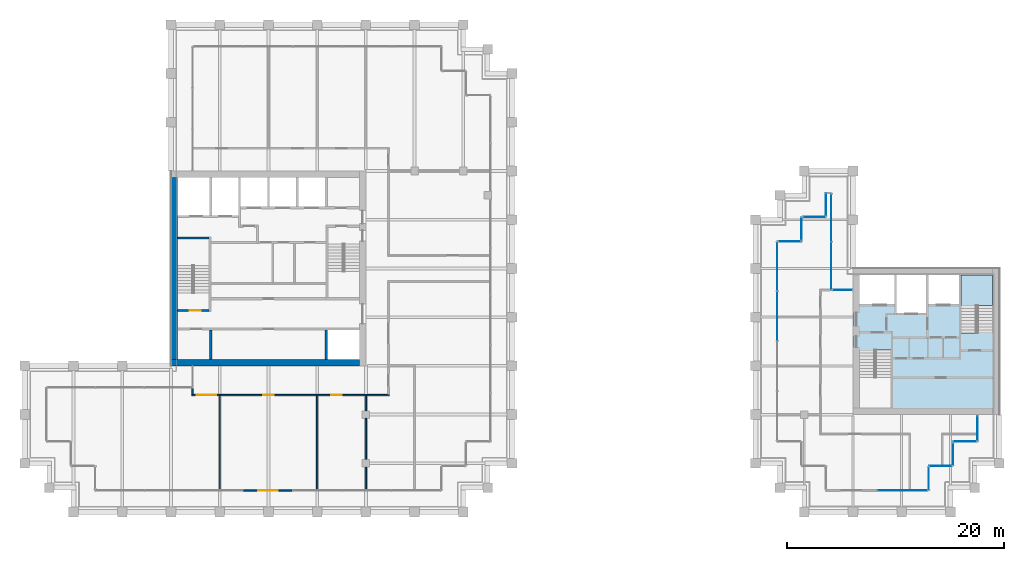
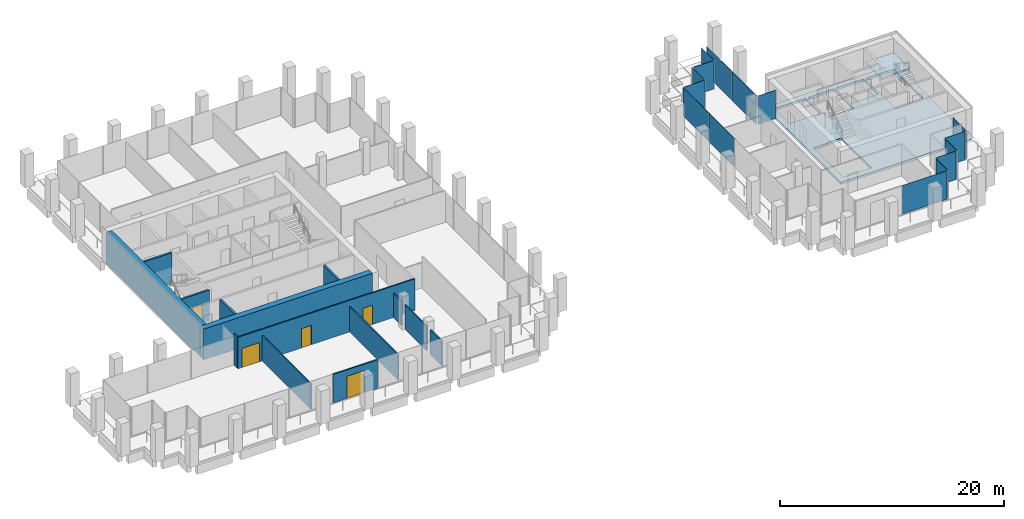
# One storey, part 35 of 40: 15 plates, 14 walls, 5 doors, 2 slabs, 5 openings, 14 elements without a shape of their own.
"""IFC4 building model written with IfcOpenShell, lengths in metres."""

from ifc_helpers import new_model, si_unit, direction, frame, frame_2d, origin, origin_2d, place, context, subcontext, project, spatial, polyline, rectangle, outline, extrude, material, layer, layer_set, type_object, element, fill, aggregate, save


model = new_model("IFC4")

# Units and contexts
model_context = context("Model", 3, precision=1e-05, world=origin(), true_north=direction((0.0, 1.0)))
body_context = subcontext(model_context, "Body", "Model", "MODEL_VIEW")
ifc_project = project(units=[si_unit("LENGTHUNIT", "METRE"), si_unit("AREAUNIT", "SQUARE_METRE"), si_unit("VOLUMEUNIT", "CUBIC_METRE"), si_unit("PLANEANGLEUNIT", "RADIAN"), si_unit("MASSUNIT", "GRAM", prefix="KILO")], contexts=[model_context])

# Site, building, storey
site_placement = place(None, origin())
site = spatial("IfcSite", under=ifc_project, at=site_placement, CompositionType="ELEMENT")
building_placement = place(site_placement, origin())
building = spatial("IfcBuilding", under=site, at=building_placement, Name="Altepetl Exchange Towers", CompositionType="ELEMENT")
storey_placement = place(building_placement, frame((0.0, 0.0, 172.60009765625)))
storey = spatial("IfcBuildingStorey", under=building, at=storey_placement, Name="L43", CompositionType="ELEMENT", Elevation=172.60009765625)

# Slab
ifc_material_1 = material(Name="Concrete C40/50", Category="concrete")
ifc_layer_1 = layer(ifc_material_1, 0.25)
ifc_layer_set_1 = layer_set([ifc_layer_1], Name="Concrete C40/50")
slab_type_1 = type_object("IfcSlabType", Name="Core floor slab 250", PredefinedType="FLOOR", material=ifc_layer_set_1)
slab_1_placement = place(storey_placement, frame((0.0, 0.0, -0.25)))
element("IfcSlab", 1, at=slab_1_placement, inside=storey, type_object=slab_type_1, Name="slab:B:L43:core0", PredefinedType="FLOOR", context=body_context, shape_type="SweptSolid", body=[
    extrude(outline(polyline([(103.5, 36.0), (117.0, 36.0), (117.0, 49.5), (103.5, 49.5), (103.5, 36.0)]), holes=[polyline([(107.0, 36.60009765625), (104.10009765625, 36.60009765625), (104.10009765625, 41.85009765625), (105.5, 41.85009765625), (105.5, 41.948974609375), (107.0, 41.948974609375), (107.0, 36.60009765625)]), polyline([(113.5, 48.89990234375), (116.39990234375, 48.89990234375), (116.39990234375, 43.64990234375), (115.0, 43.64990234375), (115.0, 43.551025390625), (113.5, 43.551025390625), (113.5, 48.89990234375)]), polyline([(107.532958984375, 45.39990234375), (107.532958984375, 48.89990234375), (110.26708984375, 48.89990234375), (110.26708984375, 45.39990234375), (107.532958984375, 45.39990234375)]), polyline([(104.10009765625, 48.89990234375), (107.3330078125, 48.89990234375), (107.3330078125, 46.199951171875), (104.10009765625, 46.199951171875), (104.10009765625, 48.89990234375)]), polyline([(110.467041015625, 48.89990234375), (113.300048828125, 48.89990234375), (113.300048828125, 46.199951171875), (110.467041015625, 46.199951171875), (110.467041015625, 48.89990234375)])]), origin(), (0.0, 0.0, 1.0), 0.25),
])

# Curtain wall, plate
ifc_material_2 = material(Name="Aluminium 6063-T6 glazing", Category="aluminium")
curtain_wall_type = type_object("IfcCurtainWallType", Name="Loggia glazing system", PredefinedType="NOTDEFINED", material=ifc_material_2)
curtain_wall_1_placement = place(storey_placement, origin())
curtain_wall_1 = element("IfcCurtainWall", 2, at=curtain_wall_1_placement, inside=storey, type_object=curtain_wall_type, Name="CW1 run", PredefinedType="NOTDEFINED")
ifc_material_3 = material(Name="Glass 6-16-6 low emissivity", Category="glass")
ifc_layer_2 = layer(ifc_material_3, 0.028076171875)
ifc_layer_set_2 = layer_set([ifc_layer_2], Name="Glass 6-16-6 low emissivity")
plate_type = type_object("IfcPlateType", Name="Glass panel 28 double glazed", PredefinedType="CURTAIN_PANEL", material=ifc_layer_set_2)
plate_1_placement = place(storey_placement, frame((108.06884765625, 29.0, -0.000244140625)))
plate_1 = element("IfcPlate", 3, at=plate_1_placement, type_object=plate_type, Name="GP1 panel", PredefinedType="CURTAIN_PANEL", context=body_context, shape_type="SweptSolid", body=[
    extrude(rectangle(XDim=4.592529296875, YDim=0.028076171875, at=origin_2d()), origin(), (0.0, 0.0, 1.0), 3.10009765625),
])
aggregate(curtain_wall_1, [plate_1])

curtain_wall_2_placement = place(storey_placement, origin())
curtain_wall_2 = element("IfcCurtainWall", 4, at=curtain_wall_2_placement, inside=storey, type_object=curtain_wall_type, Name="CW1 run", PredefinedType="NOTDEFINED")
plate_2_placement = place(storey_placement, frame((110.5, 30.08740234375, -0.000244140625), z_axis=(0.0, 0.0, 1.0), x_axis=(0.0, 1.0, 0.0)))
plate_2 = element("IfcPlate", 5, at=plate_2_placement, type_object=plate_type, Name="GP1 panel", PredefinedType="CURTAIN_PANEL", context=body_context, shape_type="SweptSolid", body=[
    extrude(rectangle(XDim=2.054931640625, YDim=0.028076171875, at=origin_2d()), origin(), (0.0, 0.0, 1.0), 3.10009765625),
])
aggregate(curtain_wall_2, [plate_2])

curtain_wall_3_placement = place(storey_placement, origin())
curtain_wall_3 = element("IfcCurtainWall", 6, at=curtain_wall_3_placement, inside=storey, type_object=curtain_wall_type, Name="CW1 run", PredefinedType="NOTDEFINED")
plate_3_placement = place(storey_placement, frame((111.58740234375, 31.25, -0.000244140625)))
plate_3 = element("IfcPlate", 7, at=plate_3_placement, type_object=plate_type, Name="GP1 panel", PredefinedType="CURTAIN_PANEL", context=body_context, shape_type="SweptSolid", body=[
    extrude(rectangle(XDim=2.054931640625, YDim=0.028076171875, at=origin_2d()), origin(), (0.0, 0.0, 1.0), 3.10009765625),
])
aggregate(curtain_wall_3, [plate_3])

curtain_wall_4_placement = place(storey_placement, origin())
curtain_wall_4 = element("IfcCurtainWall", 8, at=curtain_wall_4_placement, inside=storey, type_object=curtain_wall_type, Name="CW1 run", PredefinedType="NOTDEFINED")
plate_4_placement = place(storey_placement, frame((112.75, 32.33740234375, -0.000244140625), z_axis=(0.0, 0.0, 1.0), x_axis=(0.0, 1.0, 0.0)))
plate_4 = element("IfcPlate", 9, at=plate_4_placement, type_object=plate_type, Name="GP1 panel", PredefinedType="CURTAIN_PANEL", context=body_context, shape_type="SweptSolid", body=[
    extrude(rectangle(XDim=2.054931640625, YDim=0.028076171875, at=origin_2d()), origin(), (0.0, 0.0, 1.0), 3.10009765625),
])
aggregate(curtain_wall_4, [plate_4])

curtain_wall_5_placement = place(storey_placement, origin())
curtain_wall_5 = element("IfcCurtainWall", 10, at=curtain_wall_5_placement, inside=storey, type_object=curtain_wall_type, Name="CW1 run", PredefinedType="NOTDEFINED")
plate_5_placement = place(storey_placement, frame((113.83740234375, 33.5, -0.000244140625)))
plate_5 = element("IfcPlate", 11, at=plate_5_placement, type_object=plate_type, Name="GP1 panel", PredefinedType="CURTAIN_PANEL", context=body_context, shape_type="SweptSolid", body=[
    extrude(rectangle(XDim=2.054931640625, YDim=0.028076171875, at=origin_2d()), origin(), (0.0, 0.0, 1.0), 3.10009765625),
])
aggregate(curtain_wall_5, [plate_5])

curtain_wall_6_placement = place(storey_placement, origin())
curtain_wall_6 = element("IfcCurtainWall", 12, at=curtain_wall_6_placement, inside=storey, type_object=curtain_wall_type, Name="CW1 run", PredefinedType="NOTDEFINED")
plate_6_placement = place(storey_placement, frame((115.0, 34.71240234375, -0.000244140625), z_axis=(0.0, 0.0, 1.0), x_axis=(0.0, 1.0, 0.0)))
plate_6 = element("IfcPlate", 13, at=plate_6_placement, type_object=plate_type, Name="GP1 panel", PredefinedType="CURTAIN_PANEL", context=body_context, shape_type="SweptSolid", body=[
    extrude(rectangle(XDim=2.304931640625, YDim=0.028076171875, at=origin_2d()), origin(), (0.0, 0.0, 1.0), 3.10009765625),
])
aggregate(curtain_wall_6, [plate_6])

curtain_wall_7_placement = place(storey_placement, origin())
curtain_wall_7 = element("IfcCurtainWall", 14, at=curtain_wall_7_placement, inside=storey, type_object=curtain_wall_type, Name="CW1 run", PredefinedType="NOTDEFINED")
plate_7_placement = place(storey_placement, frame((102.53759765625, 47.5, -0.000244140625), z_axis=(0.0, 0.0, 1.0), x_axis=(-1.0, 0.0, 0.0)))
plate_7 = element("IfcPlate", 15, at=plate_7_placement, type_object=plate_type, Name="GP1 panel", PredefinedType="CURTAIN_PANEL", context=body_context, shape_type="SweptSolid", body=[
    extrude(rectangle(XDim=1.804931640625, YDim=0.028076171875, at=origin_2d()), origin(), (0.0, 0.0, 1.0), 3.10009765625),
])
aggregate(curtain_wall_7, [plate_7])

# Curtain wall, plates
curtain_wall_8_placement = place(storey_placement, origin())
curtain_wall_8 = element("IfcCurtainWall", 16, at=curtain_wall_8_placement, inside=storey, type_object=curtain_wall_type, Name="CW1 run", PredefinedType="NOTDEFINED")
plate_8_placement = place(storey_placement, frame((101.5, 49.746337890625, -0.000244140625), z_axis=(0.0, 0.0, 1.0), x_axis=(0.0, 1.0, 0.0)))
plate_8 = element("IfcPlate", 17, at=plate_8_placement, type_object=plate_type, Name="GP1 panel", PredefinedType="CURTAIN_PANEL", context=body_context, shape_type="SweptSolid", body=[
    extrude(rectangle(XDim=4.37255859375, YDim=0.028076171875, at=origin_2d()), origin(), (0.0, 0.0, 1.0), 3.10009765625),
])
plate_9_placement = place(storey_placement, frame((101.5, 54.1787109375, -0.000244140625), z_axis=(0.0, 0.0, 1.0), x_axis=(0.0, 1.0, 0.0)))
plate_9 = element("IfcPlate", 18, at=plate_9_placement, type_object=plate_type, Name="GP1 panel", PredefinedType="CURTAIN_PANEL", context=body_context, shape_type="SweptSolid", body=[
    extrude(rectangle(XDim=4.37255859375, YDim=0.028076171875, at=origin_2d()), origin(), (0.0, 0.0, 1.0), 3.10009765625),
])
aggregate(curtain_wall_8, [plate_8, plate_9])

# Curtain wall, plate
curtain_wall_9_placement = place(storey_placement, origin())
curtain_wall_9 = element("IfcCurtainWall", 19, at=curtain_wall_9_placement, inside=storey, type_object=curtain_wall_type, Name="CW1 run", PredefinedType="NOTDEFINED")
plate_10_placement = place(storey_placement, frame((101.0, 55.41259765625, -0.000244140625), z_axis=(0.0, 0.0, 1.0), x_axis=(0.0, -1.0, 0.0)))
plate_10 = element("IfcPlate", 20, at=plate_10_placement, type_object=plate_type, Name="GP1 panel", PredefinedType="CURTAIN_PANEL", context=body_context, shape_type="SweptSolid", body=[
    extrude(rectangle(XDim=2.054931640625, YDim=0.028076171875, at=origin_2d()), origin(), (0.0, 0.0, 1.0), 3.10009765625),
])
aggregate(curtain_wall_9, [plate_10])

curtain_wall_10_placement = place(storey_placement, origin())
curtain_wall_10 = element("IfcCurtainWall", 21, at=curtain_wall_10_placement, inside=storey, type_object=curtain_wall_type, Name="CW1 run", PredefinedType="NOTDEFINED")
plate_11_placement = place(storey_placement, frame((99.91259765625, 54.25, -0.000244140625), z_axis=(0.0, 0.0, 1.0), x_axis=(-1.0, 0.0, 0.0)))
plate_11 = element("IfcPlate", 22, at=plate_11_placement, type_object=plate_type, Name="GP1 panel", PredefinedType="CURTAIN_PANEL", context=body_context, shape_type="SweptSolid", body=[
    extrude(rectangle(XDim=2.054931640625, YDim=0.028076171875, at=origin_2d()), origin(), (0.0, 0.0, 1.0), 3.10009765625),
])
aggregate(curtain_wall_10, [plate_11])

curtain_wall_11_placement = place(storey_placement, origin())
curtain_wall_11 = element("IfcCurtainWall", 23, at=curtain_wall_11_placement, inside=storey, type_object=curtain_wall_type, Name="CW1 run", PredefinedType="NOTDEFINED")
plate_12_placement = place(storey_placement, frame((98.75, 53.16259765625, -0.000244140625), z_axis=(0.0, 0.0, 1.0), x_axis=(0.0, -1.0, 0.0)))
plate_12 = element("IfcPlate", 24, at=plate_12_placement, type_object=plate_type, Name="GP1 panel", PredefinedType="CURTAIN_PANEL", context=body_context, shape_type="SweptSolid", body=[
    extrude(rectangle(XDim=2.054931640625, YDim=0.028076171875, at=origin_2d()), origin(), (0.0, 0.0, 1.0), 3.10009765625),
])
aggregate(curtain_wall_11, [plate_12])

curtain_wall_12_placement = place(storey_placement, origin())
curtain_wall_12 = element("IfcCurtainWall", 25, at=curtain_wall_12_placement, inside=storey, type_object=curtain_wall_type, Name="CW1 run", PredefinedType="NOTDEFINED")
plate_13_placement = place(storey_placement, frame((97.66259765625, 52.0, -0.000244140625), z_axis=(0.0, 0.0, 1.0), x_axis=(-1.0, 0.0, 0.0)))
plate_13 = element("IfcPlate", 26, at=plate_13_placement, type_object=plate_type, Name="GP1 panel", PredefinedType="CURTAIN_PANEL", context=body_context, shape_type="SweptSolid", body=[
    extrude(rectangle(XDim=2.054931640625, YDim=0.028076171875, at=origin_2d()), origin(), (0.0, 0.0, 1.0), 3.10009765625),
])
aggregate(curtain_wall_12, [plate_13])

# Curtain wall, plates
curtain_wall_13_placement = place(storey_placement, origin())
curtain_wall_13 = element("IfcCurtainWall", 27, at=curtain_wall_13_placement, inside=storey, type_object=curtain_wall_type, Name="CW1 run", PredefinedType="NOTDEFINED")
plate_14_placement = place(storey_placement, frame((96.5, 49.681884765625, -0.000244140625), z_axis=(0.0, 0.0, 1.0), x_axis=(0.0, -1.0, 0.0)))
plate_14 = element("IfcPlate", 28, at=plate_14_placement, type_object=plate_type, Name="GP1 panel", PredefinedType="CURTAIN_PANEL", context=body_context, shape_type="SweptSolid", body=[
    extrude(rectangle(XDim=4.516357421875, YDim=0.028076171875, at=origin_2d()), origin(), (0.0, 0.0, 1.0), 3.10009765625),
])
plate_15_placement = place(storey_placement, frame((96.5, 45.090576171875, -0.000244140625), z_axis=(0.0, 0.0, 1.0), x_axis=(0.0, -1.0, 0.0)))
plate_15 = element("IfcPlate", 29, at=plate_15_placement, type_object=plate_type, Name="GP1 panel", PredefinedType="CURTAIN_PANEL", context=body_context, shape_type="SweptSolid", body=[
    extrude(rectangle(XDim=4.546142578125, YDim=0.028076171875, at=origin_2d()), origin(), (0.0, 0.0, 1.0), 3.10009765625),
])
aggregate(curtain_wall_13, [plate_14, plate_15])

# Stair, slab
stair_type = type_object("IfcStairType", Name="Exit stair 1400 flights dogleg", PredefinedType="HALF_TURN_STAIR", material=ifc_material_1)
stair_placement = place(storey_placement, origin())
stair = element("IfcStair", 30, at=stair_placement, inside=storey, type_object=stair_type, Name="Exit stair 2", PredefinedType="HALF_TURN_STAIR")
ifc_layer_3 = layer(ifc_material_1, 0.199951171875)
ifc_layer_set_3 = layer_set([ifc_layer_3], Name="Concrete C40/50")
slab_type_2 = type_object("IfcSlabType", Name="Stair landing 200 reinforced concrete", PredefinedType="LANDING", material=ifc_layer_set_3)
slab_2_placement = place(storey_placement, frame((0.0, 0.0, 1.599853515625)))
slab_2 = element("IfcSlab", 31, at=slab_2_placement, type_object=slab_type_2, Name="ST-B2e landing 1", PredefinedType="LANDING", context=body_context, shape_type="SweptSolid", body=[
    extrude(outline(polyline([(114.89990234375, 45.969970703125), (113.5, 45.969970703125), (113.5, 46.070068359375), (113.5, 48.89990234375), (116.39990234375, 48.89990234375), (116.39990234375, 46.070068359375), (116.39990234375, 46.0693359375), (115.0, 46.0693359375), (115.0, 46.070068359375), (114.89990234375, 46.070068359375), (114.89990234375, 45.969970703125)])), origin(), (0.0, 0.0, 1.0), 0.199951171875),
])
aggregate(stair, [slab_2])

# Walls
ifc_material_4 = material(Name="Concrete C70/85", Category="concrete")
ifc_layer_4 = layer(ifc_material_4, 0.60009765625)
ifc_layer_set_4 = layer_set([ifc_layer_4], Name="Concrete C70/85")
wall_type_1 = type_object("IfcWallType", Name="Core wall 600 reinforced concrete", PredefinedType="SHEAR", material=ifc_layer_set_4)
wall_1_placement = place(storey_placement, frame((40.5, 40.800048828125, 0.0)))
element("IfcWall", 32, at=wall_1_placement, inside=storey, type_object=wall_type_1, Name="wall:A:L43:K-coreS", PredefinedType="SHEAR", context=body_context, shape_type="SweptSolid", body=[
    extrude(rectangle(XDim=17.39990234375, YDim=0.60009765625, at=frame_2d((8.699951171875, 0.0))), origin(), (0.0, 0.0, 1.0), 3.349853515625),
])
ifc_layer_5 = layer(ifc_material_4, 0.60009765625)
ifc_layer_set_5 = layer_set([ifc_layer_5], Name="Concrete C70/85")
wall_type_2 = type_object("IfcWallType", Name="Core wall 600 reinforced concrete external", PredefinedType="SHEAR", material=ifc_layer_set_5)
wall_2_placement = place(storey_placement, frame((40.800048828125, 41.10009765625, 0.0), z_axis=(0.0, 0.0, 1.0), x_axis=(0.0, 1.0, 0.0)))
element("IfcWall", 33, at=wall_2_placement, inside=storey, type_object=wall_type_2, Name="wall:A:L43:K-coreW", PredefinedType="SHEAR", context=body_context, shape_type="SweptSolid", body=[
    extrude(rectangle(XDim=16.7998046875, YDim=0.60009765625, at=frame_2d((8.39990234375, 0.0))), origin(), (0.0, 0.0, 1.0), 3.349853515625),
])

# Wall, opening, door
ifc_material_5 = material(Name="Aluminium composite cladding", Category="aluminium")
ifc_layer_6 = layer(ifc_material_5, 0.14990234375)
ifc_layer_set_6 = layer_set([ifc_layer_6], Name="Aluminium composite cladding")
wall_type_3 = type_object("IfcWallType", Name="Infill wall 150 aluminium panel", PredefinedType="SOLIDWALL", material=ifc_layer_set_6)
wall_3_placement = place(storey_placement, frame((47.18212890625, 29.0, 0.0)))
wall_3 = element("IfcWall", 34, at=wall_3_placement, inside=storey, type_object=wall_type_3, Name="Loggia door bay wall", PredefinedType="SOLIDWALL", context=body_context, shape_type="SweptSolid", body=[
    extrude(rectangle(XDim=4.560791015625, YDim=0.14990234375, at=frame_2d((2.2802734375, 0.0))), origin(), (0.0, 0.0, 1.0), 3.099853515625),
])
opening_1_placement = place(wall_3_placement, frame((1.38037109375, 0.0, 0.0)))
opening_1 = element("IfcOpeningElement", 35, at=opening_1_placement, cuts=wall_3, Name="Opening L43.A90", PredefinedType="OPENING", context=body_context, shape_type="SweptSolid", body=[
    extrude(rectangle(XDim=1.800048828125, YDim=2.39990234375, at=frame_2d((0.89990234375, 1.199951171875))), frame((0.0, 0.0849609375, 0.0), z_axis=(0.0, -1.0, 0.0), x_axis=(1.0, 0.0, 0.0)), (0.0, 0.0, 1.0), 0.169921875),
])
ifc_material_6 = material(Name="Aluminium 6063-T6 and glass", Category="aluminium")
door_type_1 = type_object("IfcDoorType", Name="Glazed door pair 1800x2400", OperationType="DOUBLE_DOOR_DOUBLE_SWING", PredefinedType="NOTDEFINED", material=ifc_material_6)
door_1_placement = place(opening_1_placement, frame((1.800048828125, 0.0, 0.0), x_axis=(-1.0, 0.0, 0.0)))
door_1 = element("IfcDoor", 36, at=door_1_placement, inside=storey, type_object=door_type_1, Name="Loggia door", OperationType="DOUBLE_DOOR_DOUBLE_SWING", OverallHeight=2.39990234375, OverallWidth=1.800048828125, PredefinedType="NOTDEFINED", context=body_context, shape_type="SweptSolid", body=[
    extrude(rectangle(XDim=1.800048828125, YDim=2.39990234375, at=frame_2d((0.89990234375, 1.199951171875))), frame((0.0, 0.02490234375, 0.0), z_axis=(0.0, -1.0, 0.0), x_axis=(1.0, 0.0, 0.0)), (0.0, 0.0, 1.0), 0.050048828125),
])
fill(opening_1, door_1)

# Wall, openings, doors
ifc_material_7 = material(Name="Gypsum board on steel studs", Category="steel")
ifc_layer_7 = layer(ifc_material_7, 0.125)
ifc_layer_set_7 = layer_set([ifc_layer_7], Name="Gypsum board on steel studs")
wall_type_4 = type_object("IfcWallType", Name="Partition 125 gypsum board on steel studs", PredefinedType="PARTITIONING", material=ifc_layer_set_7)
wall_4_placement = place(storey_placement, frame((42.4375, 37.800048828125, 0.0)))
wall_4 = element("IfcWall", 37, at=wall_4_placement, inside=storey, type_object=wall_type_4, Name="wall:A:L43:P01", PredefinedType="PARTITIONING", context=body_context, shape_type="SweptSolid", body=[
    extrude(rectangle(XDim=18.22509765625, YDim=0.125, at=frame_2d((9.112548828125, 0.0))), origin(), (0.0, 0.0, 1.0), 3.449951171875),
])
opening_2_placement = place(wall_4_placement, frame((6.5625, 0.0, 0.0)))
opening_2 = element("IfcOpeningElement", 38, at=opening_2_placement, cuts=wall_4, Name="Opening L43.A01", PredefinedType="OPENING", context=body_context, shape_type="SweptSolid", body=[
    extrude(rectangle(XDim=1.0, YDim=2.10009765625, at=frame_2d((0.5, 1.050048828125))), frame((0.0, 0.072509765625, 0.0), z_axis=(0.0, -1.0, 0.0), x_axis=(1.0, 0.0, 0.0)), (0.0, 0.0, 1.0), 0.14501953125),
])
opening_3_placement = place(wall_4_placement, frame((12.857421875, 0.0, 0.0)))
opening_3 = element("IfcOpeningElement", 39, at=opening_3_placement, cuts=wall_4, Name="Opening L43.A02", PredefinedType="OPENING", context=body_context, shape_type="SweptSolid", body=[
    extrude(rectangle(XDim=1.0, YDim=2.10009765625, at=frame_2d((0.5, 1.050048828125))), frame((0.0, 0.072509765625, 0.0), z_axis=(0.0, -1.0, 0.0), x_axis=(1.0, 0.0, 0.0)), (0.0, 0.0, 1.0), 0.14501953125),
])
opening_4_placement = place(wall_4_placement, frame((0.429443359375, 0.0, 0.0)))
opening_4 = element("IfcOpeningElement", 40, at=opening_4_placement, cuts=wall_4, Name="Opening L43.A03", PredefinedType="OPENING", context=body_context, shape_type="SweptSolid", body=[
    extrude(rectangle(XDim=1.800048828125, YDim=2.10009765625, at=frame_2d((0.89990234375, 1.050048828125))), frame((0.0, 0.072509765625, 0.0), z_axis=(0.0, -1.0, 0.0), x_axis=(1.0, 0.0, 0.0)), (0.0, 0.0, 1.0), 0.14501953125),
])
ifc_material_8 = material(Name="Steel and timber fire door", Category="steel")
door_type_2 = type_object("IfcDoorType", Name="Fire door 1000 x 2100 single leaf", OperationType="SINGLE_SWING_LEFT", PredefinedType="DOOR", material=ifc_material_8)
door_2_placement = place(opening_2_placement, frame((1.0, 0.0, 0.0), x_axis=(-1.0, 0.0, 0.0)))
door_2 = element("IfcDoor", 41, at=door_2_placement, inside=storey, type_object=door_type_2, Name="door:A:L43:01", OperationType="SINGLE_SWING_LEFT", OverallHeight=2.10009765625, OverallWidth=1.0, PredefinedType="DOOR", context=body_context, shape_type="SweptSolid", body=[
    extrude(rectangle(XDim=1.0, YDim=2.10009765625, at=frame_2d((0.5, 1.050048828125))), frame((0.0, 0.02490234375, 0.0), z_axis=(0.0, -1.0, 0.0), x_axis=(1.0, 0.0, 0.0)), (0.0, 0.0, 1.0), 0.050048828125),
])
fill(opening_2, door_2)
door_3_placement = place(opening_3_placement, frame((1.0, 0.0, 0.0), x_axis=(-1.0, 0.0, 0.0)))
door_3 = element("IfcDoor", 42, at=door_3_placement, inside=storey, type_object=door_type_2, Name="door:A:L43:02", OperationType="SINGLE_SWING_RIGHT", OverallHeight=2.10009765625, OverallWidth=1.0, PredefinedType="DOOR", context=body_context, shape_type="SweptSolid", body=[
    extrude(rectangle(XDim=1.0, YDim=2.10009765625, at=frame_2d((0.5, 1.050048828125))), frame((0.0, 0.02490234375, 0.0), z_axis=(0.0, -1.0, 0.0), x_axis=(1.0, 0.0, 0.0)), (0.0, 0.0, 1.0), 0.050048828125),
])
fill(opening_3, door_3)
door_type_3 = type_object("IfcDoorType", Name="Fire door 1800 x 2100 double leaf", OperationType="DOUBLE_DOOR_SINGLE_SWING", PredefinedType="DOOR", material=ifc_material_8)
door_4_placement = place(opening_4_placement, frame((1.800048828125, 0.0, 0.0), x_axis=(-1.0, 0.0, 0.0)))
door_4 = element("IfcDoor", 43, at=door_4_placement, inside=storey, type_object=door_type_3, Name="door:A:L43:03", OperationType="DOUBLE_DOOR_SINGLE_SWING", OverallHeight=2.10009765625, OverallWidth=1.800048828125, PredefinedType="DOOR", context=body_context, shape_type="SweptSolid", body=[
    extrude(rectangle(XDim=1.800048828125, YDim=2.10009765625, at=frame_2d((0.89990234375, 1.050048828125))), frame((0.0, 0.02490234375, 0.0), z_axis=(0.0, -1.0, 0.0), x_axis=(1.0, 0.0, 0.0)), (0.0, 0.0, 1.0), 0.050048828125),
])
fill(opening_4, door_4)

# Walls
wall_5_placement = place(storey_placement, frame((42.5, 37.862548828125, 0.0), z_axis=(0.0, 0.0, 1.0), x_axis=(0.0, 1.0, 0.0)))
element("IfcWall", 44, at=wall_5_placement, inside=storey, type_object=wall_type_4, Name="wall:A:L43:P09", PredefinedType="PARTITIONING", context=body_context, shape_type="SweptSolid", body=[
    extrude(rectangle(XDim=0.537353515625, YDim=0.125, at=frame_2d((0.2685546875, 0.0))), origin(), (0.0, 0.0, 1.0), 3.449951171875),
])
for number, where, z_axis, x_axis, name in (
    (45, (45.0, 29.10009765625, 0.0), (0.0, 0.0, 1.0), (0.0, 1.0, 0.0), "wall:A:L43:P10"),
    (46, (54.0, 29.10009765625, 0.0), (0.0, 0.0, 1.0), (0.0, 1.0, 0.0), "wall:A:L43:P12"),
):
    element("IfcWall", number, at=place(storey_placement, frame(where, z_axis=z_axis, x_axis=x_axis)), inside=storey, type_object=wall_type_4, Name=name, PredefinedType="PARTITIONING", context=body_context, shape_type="SweptSolid", body=[
        extrude(rectangle(XDim=8.699951171875, YDim=0.125, at=frame_2d((4.35009765625, 0.0))), origin(), (0.0, 0.0, 1.0), 2.765869140625),
    ])
wall_6_placement = place(storey_placement, frame((58.5, 29.10009765625, 0.0), z_axis=(0.0, 0.0, 1.0), x_axis=(0.0, 1.0, 0.0)))
element("IfcWall", 47, at=wall_6_placement, inside=storey, type_object=wall_type_4, Name="wall:A:L43:P14", PredefinedType="PARTITIONING", context=body_context, shape_type="SweptSolid", body=[
    extrude(rectangle(XDim=2.0498046875, YDim=0.125, at=frame_2d((1.02490234375, 0.0))), origin(), (0.0, 0.0, 1.0), 2.67578125),
])
wall_7_placement = place(storey_placement, frame((58.5, 31.85009765625, 0.0), z_axis=(0.0, 0.0, 1.0), x_axis=(0.0, 1.0, 0.0)))
element("IfcWall", 48, at=wall_7_placement, inside=storey, type_object=wall_type_4, Name="wall:A:L43:P15", PredefinedType="PARTITIONING", context=body_context, shape_type="SweptSolid", body=[
    extrude(rectangle(XDim=3.7998046875, YDim=0.125, at=frame_2d((1.89990234375, 0.0))), origin(), (0.0, 0.0, 1.0), 2.67578125),
])
wall_8_placement = place(storey_placement, frame((58.5, 36.35009765625, 0.0), z_axis=(0.0, 0.0, 1.0), x_axis=(0.0, 1.0, 0.0)))
element("IfcWall", 49, at=wall_8_placement, inside=storey, type_object=wall_type_4, Name="wall:A:L43:P16", PredefinedType="PARTITIONING", context=body_context, shape_type="SweptSolid", body=[
    extrude(rectangle(XDim=1.449951171875, YDim=0.125, at=frame_2d((0.72509765625, 0.0))), origin(), (0.0, 0.0, 1.0), 2.67578125),
])
ifc_layer_8 = layer(ifc_material_1, 0.199951171875)
ifc_layer_set_8 = layer_set([ifc_layer_8], Name="Concrete C40/50")
wall_type_5 = type_object("IfcWallType", Name="Shaft wall 200 reinforced concrete", PredefinedType="SHEAR", material=ifc_layer_set_8)
wall_9_placement = place(storey_placement, frame((54.833251953125, 41.10009765625, 0.0), z_axis=(0.0, 0.0, 1.0), x_axis=(0.0, 1.0, 0.0)))
element("IfcWall", 50, at=wall_9_placement, inside=storey, type_object=wall_type_5, Name="wall:A:L43:K-divS5", PredefinedType="SHEAR", context=body_context, shape_type="SweptSolid", body=[
    extrude(rectangle(XDim=2.699951171875, YDim=0.199951171875, at=frame_2d((1.35009765625, 0.0))), origin(), (0.0, 0.0, 1.0), 3.349853515625),
])
ifc_layer_9 = layer(ifc_material_4, 0.199951171875)
ifc_layer_set_9 = layer_set([ifc_layer_9], Name="Concrete C70/85")
wall_type_6 = type_object("IfcWallType", Name="Shear wall 200 reinforced concrete", PredefinedType="SHEAR", material=ifc_layer_set_9)
wall_10_placement = place(storey_placement, frame((44.166748046875, 41.10009765625, 0.0), z_axis=(0.0, 0.0, 1.0), x_axis=(0.0, 1.0, 0.0)))
element("IfcWall", 51, at=wall_10_placement, inside=storey, type_object=wall_type_6, Name="wall:A:L43:K-divS1", PredefinedType="SHEAR", context=body_context, shape_type="SweptSolid", body=[
    extrude(rectangle(XDim=2.699951171875, YDim=0.199951171875, at=frame_2d((1.35009765625, 0.0))), origin(), (0.0, 0.0, 1.0), 3.349853515625),
])
ifc_layer_10 = layer(ifc_material_1, 0.199951171875)
ifc_layer_set_10 = layer_set([ifc_layer_10], Name="Concrete C40/50")
wall_type_7 = type_object("IfcWallType", Name="Stair wall 200 reinforced concrete", PredefinedType="SHEAR", material=ifc_layer_set_10)
wall_11_placement = place(storey_placement, frame((41.10009765625, 52.300048828125, 0.0)))
element("IfcWall", 52, at=wall_11_placement, inside=storey, type_object=wall_type_7, Name="wall:A:L43:K-stS1N", PredefinedType="SHEAR", context=body_context, shape_type="SweptSolid", body=[
    extrude(rectangle(XDim=2.89990234375, YDim=0.199951171875, at=frame_2d((1.449951171875, 0.0))), origin(), (0.0, 0.0, 1.0), 3.349853515625),
])

# Wall, opening, door
wall_12_placement = place(storey_placement, frame((41.10009765625, 45.60009765625, 0.0)))
wall_12 = element("IfcWall", 53, at=wall_12_placement, inside=storey, type_object=wall_type_7, Name="wall:A:L43:K-stS1S", PredefinedType="SHEAR", context=body_context, shape_type="SweptSolid", body=[
    extrude(rectangle(XDim=2.89990234375, YDim=0.199951171875, at=frame_2d((1.449951171875, 0.0))), origin(), (0.0, 0.0, 1.0), 3.349853515625),
])
opening_5_placement = place(wall_12_placement, frame((1.14990234375, 0.0, 0.0)))
opening_5 = element("IfcOpeningElement", 54, at=opening_5_placement, cuts=wall_12, Name="Opening L43.A62", PredefinedType="OPENING", context=body_context, shape_type="SweptSolid", body=[
    extrude(rectangle(XDim=1.0, YDim=2.10009765625, at=frame_2d((0.5, 1.050048828125))), frame((0.0, 0.10986328125, 0.0), z_axis=(0.0, -1.0, 0.0), x_axis=(1.0, 0.0, 0.0)), (0.0, 0.0, 1.0), 0.219970703125),
])
door_type_4 = type_object("IfcDoorType", Name="Fire door 1000 x 2100 stair and lobby", OperationType="SINGLE_SWING_LEFT", PredefinedType="DOOR", material=ifc_material_8)
door_5_placement = place(opening_5_placement, origin())
door_5 = element("IfcDoor", 55, at=door_5_placement, inside=storey, type_object=door_type_4, Name="door:A:L43:K-dS1in", OperationType="SINGLE_SWING_RIGHT", OverallHeight=2.10009765625, OverallWidth=1.0, PredefinedType="DOOR", context=body_context, shape_type="SweptSolid", body=[
    extrude(rectangle(XDim=1.0, YDim=2.10009765625, at=frame_2d((0.5, 1.050048828125))), frame((0.0, 0.02490234375, 0.0), z_axis=(0.0, -1.0, 0.0), x_axis=(1.0, 0.0, 0.0)), (0.0, 0.0, 1.0), 0.050048828125),
])
fill(opening_5, door_5)

save(model, "model.ifc")
